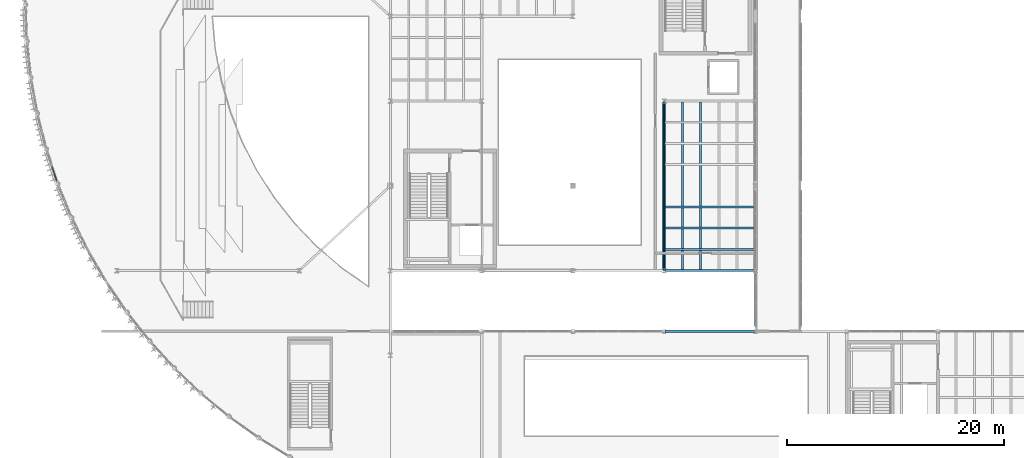
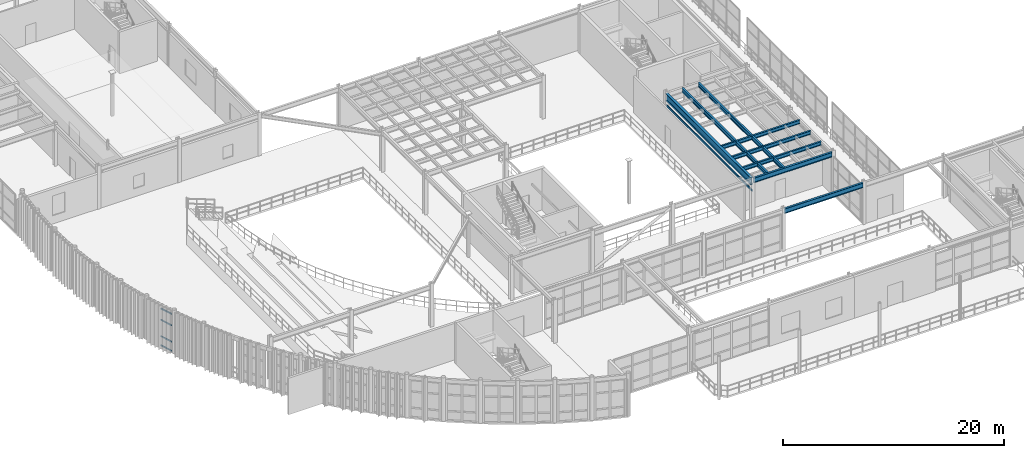
# One storey, part 33 of 116: 9 beams, 4 members, 1 element without a shape of its own.
"""IFC4 building model written with IfcOpenShell, lengths in metres."""

from ifc_helpers import new_model, si_unit, direction, frame, origin, origin_2d, place, context, subcontext, project, spatial, hollow_rectangle, i_section, extrude, material, layer, layer_set, material_profile, profile_set, type_object, element, aggregate, save


model = new_model("IFC4")

# Units and contexts
model_context = context("Model", 3, precision=1e-05, world=origin(), true_north=direction((0.0, 1.0)))
body_context = subcontext(model_context, "Body", "Model", "MODEL_VIEW")
ifc_project = project(units=[si_unit("LENGTHUNIT", "METRE"), si_unit("AREAUNIT", "SQUARE_METRE"), si_unit("VOLUMEUNIT", "CUBIC_METRE"), si_unit("PLANEANGLEUNIT", "RADIAN"), si_unit("MASSUNIT", "GRAM", prefix="KILO")], contexts=[model_context])

# Site, building, storey
site_placement = place(None, origin())
site = spatial("IfcSite", under=ifc_project, at=site_placement, CompositionType="ELEMENT")
building_placement = place(site_placement, origin())
building = spatial("IfcBuilding", under=site, at=building_placement, Name="Selat Folded Stagehouse", CompositionType="ELEMENT")
storey_placement = place(building_placement, frame((0.0, 0.0, 5.39990234375)))
storey = spatial("IfcBuildingStorey", under=building, at=storey_placement, Name="L01", CompositionType="ELEMENT", Elevation=5.39990234375)

# Beams
ifc_material_1 = material(Name="Steel S355", Category="steel")
ifc_material_profile_1 = material_profile(ifc_material_1, i_section(OverallWidth=0.209228515625, OverallDepth=0.533203125, WebThickness=0.010009765625, FlangeThickness=0.015625, FilletRadius=0.0126953125, at=origin_2d()), Name="UKB 533x210x92")
ifc_profile_set_1 = profile_set([ifc_material_profile_1], Name="Steel S355")
beam_type_1 = type_object("IfcBeamType", Name="BM-GIRD-533x210x92", PredefinedType="BEAM", material=ifc_profile_set_1)
beam_1_placement = place(storey_placement, frame((58.876953125, 17.800048828125, 4.3134765625), z_axis=(1.0, 0.0, 0.0), x_axis=(0.0, 1.0, 0.0)))
element("IfcBeam", 1, at=beam_1_placement, inside=storey, type_object=beam_type_1, Name="L01 primary x-girder 0769", PredefinedType="BEAM", context=body_context, shape_type="SweptSolid", body=[
    extrude(i_section(OverallWidth=0.209228515625, OverallDepth=0.533203125, WebThickness=0.010009765625, FlangeThickness=0.015625, FilletRadius=0.0126953125, at=origin_2d()), origin(), (0.0, 0.0, 1.0), 8.24609375),
])
beam_2_placement = place(storey_placement, frame((58.8798828125, 23.39990234375, 4.3134765625), z_axis=(1.0, 0.0, 0.0), x_axis=(0.0, 1.0, 0.0)))
element("IfcBeam", 2, at=beam_2_placement, inside=storey, type_object=beam_type_1, Name="L01 primary x-girder 0781", PredefinedType="BEAM", context=body_context, shape_type="SweptSolid", body=[
    extrude(i_section(OverallWidth=0.209228515625, OverallDepth=0.533203125, WebThickness=0.010009765625, FlangeThickness=0.015625, FilletRadius=0.0126953125, at=origin_2d()), origin(), (0.0, 0.0, 1.0), 8.240234375),
])
ifc_material_profile_2 = material_profile(ifc_material_1, i_section(OverallWidth=0.26806640625, OverallDepth=0.769775390625, WebThickness=0.015625, FlangeThickness=0.025390625, FilletRadius=0.0166015625, at=origin_2d()), Name="UKB 762x267x197")
ifc_profile_set_2 = profile_set([ifc_material_profile_2], Name="Steel S355")
beam_type_2 = type_object("IfcBeamType", Name="BM-GIRD-762x267x197", PredefinedType="BEAM", material=ifc_profile_set_2)
beam_3_placement = place(storey_placement, frame((58.800048828125, 23.47998046875, 4.1953125), z_axis=(0.0, 1.0, 0.0), x_axis=(-1.0, 0.0, 0.0)))
element("IfcBeam", 3, at=beam_3_placement, inside=storey, type_object=beam_type_2, Name="L01 primary y-girder 0823", PredefinedType="BEAM", context=body_context, shape_type="SweptSolid", body=[
    extrude(i_section(OverallWidth=0.26806640625, OverallDepth=0.769775390625, WebThickness=0.015625, FlangeThickness=0.025390625, FilletRadius=0.0166015625, at=origin_2d()), origin(), (0.0, 0.0, 1.0), 15.43994140625),
])

# Curtain wall, members
ifc_material_2 = material(Name="Aluminium 6063-T6", Category="aluminium")
ifc_layer = layer(ifc_material_2, 0.199951171875)
ifc_layer_set = layer_set([ifc_layer], Name="Aluminium 6063-T6")
curtain_wall_type = type_object("IfcCurtainWallType", Name="CW-DRM-MID", PredefinedType="NOTDEFINED", material=ifc_layer_set)
curtain_wall_placement = place(storey_placement, origin())
curtain_wall = element("IfcCurtainWall", 4, at=curtain_wall_placement, inside=storey, type_object=curtain_wall_type, Name="L01 curtain wall CW-DRM-L01-06", PredefinedType="NOTDEFINED")
ifc_material_profile_3 = material_profile(ifc_material_2, hollow_rectangle(XDim=0.070068359375, YDim=0.14990234375, WallThickness=0.00390625, at=origin_2d()), Name="ALU 150x70x4.0")
ifc_profile_set_3 = profile_set([ifc_material_profile_3], Name="Aluminium 6063-T6")
member_type = type_object("IfcMemberType", Name="CWM-TRN-150x70", PredefinedType="USERDEFINED", material=ifc_profile_set_3)
member_1_placement = place(storey_placement, frame((2.867431640625, 31.68798828125, 0.03515625), z_axis=(-0.313031400474, 0.949742776923, 0.0), x_axis=(-0.949742776923, -0.313031400474, 0.0)))
member_1 = element("IfcMember", 5, at=member_1_placement, type_object=member_type, Name="CW-02 transom 1.1", ObjectType="TRANSOM", PredefinedType="USERDEFINED", context=body_context, shape_type="SweptSolid", body=[
    extrude(hollow_rectangle(XDim=0.070068359375, YDim=0.14990234375, WallThickness=0.00390625, at=origin_2d()), origin(), (0.0, 0.0, 1.0), 1.329833984375),
])
member_2_placement = place(storey_placement, frame((2.867431640625, 31.68798828125, 1.050048828125), z_axis=(-0.313031400474, 0.949742776923, 0.0), x_axis=(-0.949742776923, -0.313031400474, 0.0)))
member_2 = element("IfcMember", 6, at=member_2_placement, type_object=member_type, Name="CW-02 transom 1.2", ObjectType="TRANSOM", PredefinedType="USERDEFINED", context=body_context, shape_type="SweptSolid", body=[
    extrude(hollow_rectangle(XDim=0.070068359375, YDim=0.14990234375, WallThickness=0.00390625, at=origin_2d()), origin(), (0.0, 0.0, 1.0), 1.329833984375),
])
member_3_placement = place(storey_placement, frame((2.867431640625, 31.68798828125, 2.85009765625), z_axis=(-0.313031400474, 0.949742776923, 0.0), x_axis=(-0.949742776923, -0.313031400474, 0.0)))
member_3 = element("IfcMember", 7, at=member_3_placement, type_object=member_type, Name="CW-02 transom 1.3", ObjectType="TRANSOM", PredefinedType="USERDEFINED", context=body_context, shape_type="SweptSolid", body=[
    extrude(hollow_rectangle(XDim=0.070068359375, YDim=0.14990234375, WallThickness=0.00390625, at=origin_2d()), origin(), (0.0, 0.0, 1.0), 1.329833984375),
])
member_4_placement = place(storey_placement, frame((2.867431640625, 31.68798828125, 4.10498046875), z_axis=(-0.313031400474, 0.949742776923, 0.0), x_axis=(-0.949742776923, -0.313031400474, 0.0)))
member_4 = element("IfcMember", 8, at=member_4_placement, type_object=member_type, Name="CW-02 transom 1.4", ObjectType="TRANSOM", PredefinedType="USERDEFINED", context=body_context, shape_type="SweptSolid", body=[
    extrude(hollow_rectangle(XDim=0.070068359375, YDim=0.14990234375, WallThickness=0.00390625, at=origin_2d()), origin(), (0.0, 0.0, 1.0), 1.329833984375),
])
aggregate(curtain_wall, [member_1, member_2, member_3, member_4])

# Beams
ifc_material_profile_4 = material_profile(ifc_material_1, i_section(OverallWidth=0.177978515625, OverallDepth=0.406494140625, WebThickness=0.0078125, FlangeThickness=0.0126953125, FilletRadius=0.01025390625, at=origin_2d()), Name="UKB 406x178x60")
ifc_profile_set_4 = profile_set([ifc_material_profile_4], Name="Steel S355")
beam_type_3 = type_object("IfcBeamType", Name="JST-406x178x60", PredefinedType="JOIST", material=ifc_profile_set_4)
for number, where, z_axis, x_axis, name in (
    (9, (58.893798828125, 25.35009765625, 4.376953125), (1.0, 0.0, 0.0), (0.0, 1.0, 0.0), "L01 secondary x-joist 0951"),
    (10, (58.893798828125, 27.300048828125, 4.376953125), (1.0, 0.0, 0.0), (0.0, 1.0, 0.0), "L01 secondary x-joist 0952"),
    (11, (58.893798828125, 29.25, 4.376953125), (1.0, 0.0, 0.0), (0.0, 1.0, 0.0), "L01 secondary x-joist 0956"),
):
    element("IfcBeam", number, at=place(storey_placement, frame(where, z_axis=z_axis, x_axis=x_axis)), inside=storey, type_object=beam_type_3, Name=name, PredefinedType="JOIST", context=body_context, shape_type="SweptSolid", body=[
        extrude(i_section(OverallWidth=0.177978515625, OverallDepth=0.406494140625, WebThickness=0.0078125, FlangeThickness=0.0126953125, FilletRadius=0.01025390625, at=origin_2d()), origin(), (0.0, 0.0, 1.0), 8.232421875),
    ])
ifc_material_profile_5 = material_profile(ifc_material_1, i_section(OverallWidth=0.18994140625, OverallDepth=0.453369140625, WebThickness=0.008544921875, FlangeThickness=0.0126953125, FilletRadius=0.01025390625, at=origin_2d()), Name="UKB 457x191x67")
ifc_profile_set_5 = profile_set([ifc_material_profile_5], Name="Steel S355")
beam_type_4 = type_object("IfcBeamType", Name="JST-457x191x67", PredefinedType="JOIST", material=ifc_profile_set_5)
for number, where, z_axis, x_axis, name in (
    (12, (60.47998046875, 23.473388671875, 4.353515625), (0.0, 1.0, 0.0), (-1.0, 0.0, 0.0), "L01 secondary floor joist 0876"),
    (13, (62.159912109375, 23.473388671875, 4.353515625), (0.0, 1.0, 0.0), (-1.0, 0.0, 0.0), "L01 secondary floor joist 0877"),
):
    element("IfcBeam", number, at=place(storey_placement, frame(where, z_axis=z_axis, x_axis=x_axis)), inside=storey, type_object=beam_type_4, Name=name, PredefinedType="JOIST", context=body_context, shape_type="SweptSolid", body=[
        extrude(i_section(OverallWidth=0.18994140625, OverallDepth=0.453369140625, WebThickness=0.008544921875, FlangeThickness=0.0126953125, FilletRadius=0.01025390625, at=origin_2d()), origin(), (0.0, 0.0, 1.0), 15.453369140625),
    ])
ifc_material_profile_6 = material_profile(ifc_material_1, hollow_rectangle(XDim=0.10009765625, YDim=0.199951171875, WallThickness=0.008056640625, at=origin_2d()), Name="RHS 200x100x8.0")
ifc_profile_set_6 = profile_set([ifc_material_profile_6], Name="Steel S355")
beam_type_5 = type_object("IfcBeamType", Name="LNT-RHS-200x100", PredefinedType="LINTEL", material=ifc_profile_set_6)
beam_4_placement = place(storey_placement, frame((58.800048828125, 23.39990234375, 3.2001953125), z_axis=(0.0, 1.0, 0.0), x_axis=(-1.0, 0.0, 0.0)))
element("IfcBeam", 14, at=beam_4_placement, inside=storey, type_object=beam_type_5, Name="L01 structural lintel beam 07", PredefinedType="LINTEL", context=body_context, shape_type="SweptSolid", body=[
    extrude(hollow_rectangle(XDim=0.10009765625, YDim=0.199951171875, WallThickness=0.008056640625, at=origin_2d()), origin(), (0.0, 0.0, 1.0), 15.60009765625),
])

save(model, "model.ifc")
